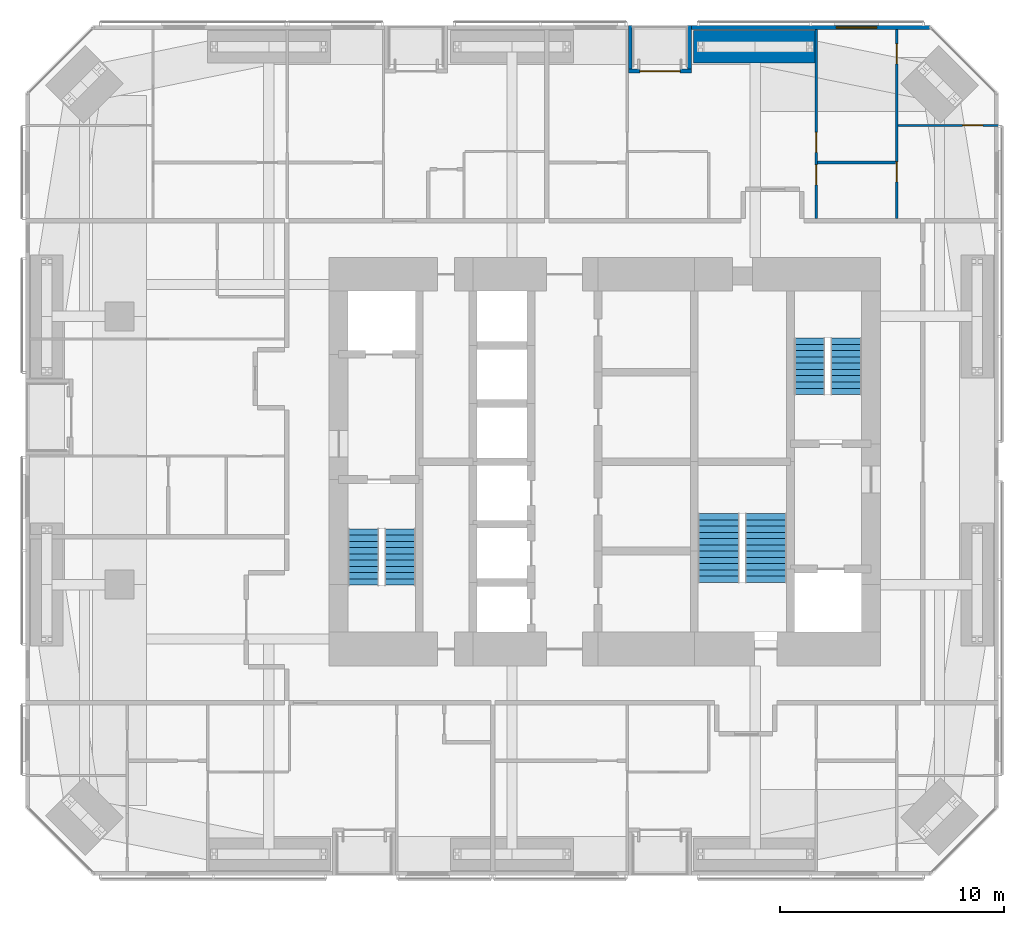
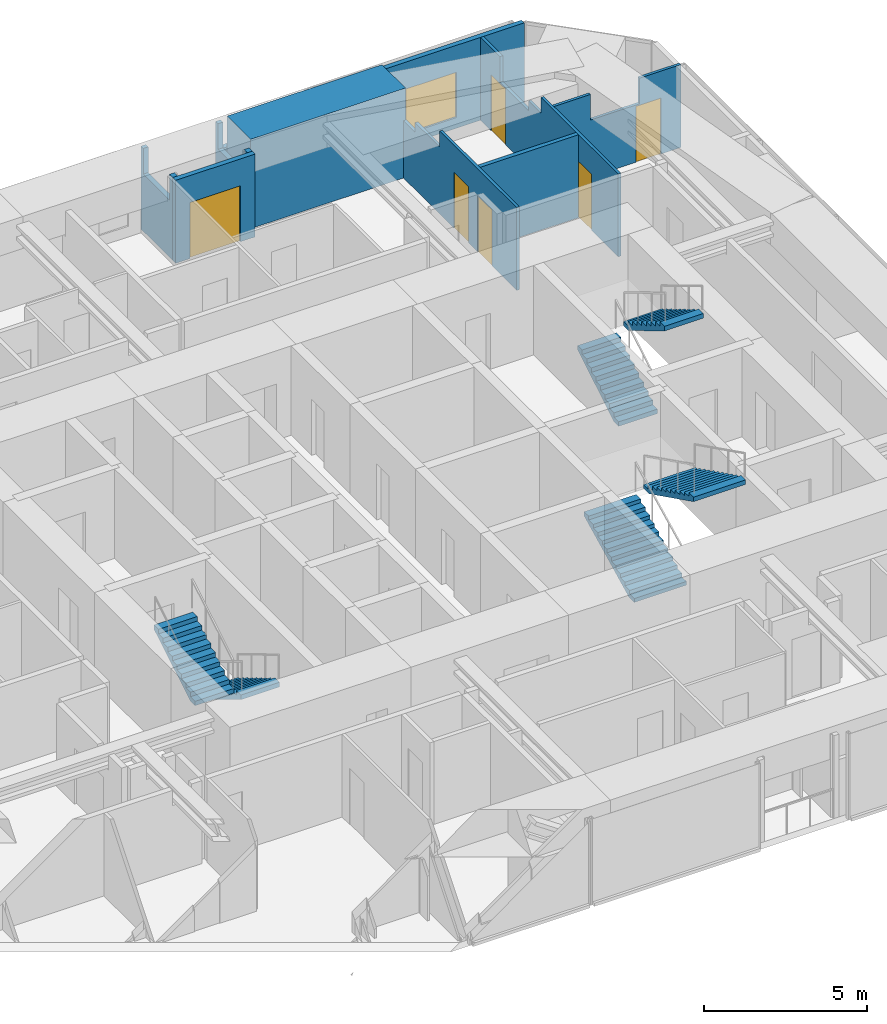
# One storey, part 23 of 24: 9 walls, 6 doors, 6 stair flights, 1 window, 7 openings, 3 elements without a shape of their own.
"""IFC4 building model written with IfcOpenShell, lengths in metres."""

import ifcopenshell
import ifcopenshell.guid

model = None  # the IFC model being written
_history = None  # IfcOwnerHistory: only IFC2X3 demands one
_inside = {}  # id of a spatial element -> (the spatial element, [elements in it])
_under = {}  # id of a project, library or spatial element -> (it, [spatial elements below it])
_declared = {}  # id of a project -> (the project, [libraries it declares])
_typed = {}  # id of a type object -> (the type object, [elements of that type])
_made_of = {}  # id of a material, layer set ... -> (it, [elements and type objects made of it])


def new_model(schema):
    """Start an empty IFC model of exactly this schema.

    Asked for "IFC4X3", IfcOpenShell would pick the latest addendum, in which some entities
    have other attributes; the version numbers below select the first issue.
    IFC2X3 requires an IfcOwnerHistory on every rooted entity: one is made here for all.
    """
    global model, _history
    if schema == "IFC4X3":
        model = ifcopenshell.file(schema_version=(4, 3, 0, 0))
    else:
        model = ifcopenshell.file(schema=schema)
    _inside.clear()
    _under.clear()
    _declared.clear()
    _typed.clear()
    _made_of.clear()
    _history = None
    if model.schema == "IFC2X3":
        org = make("IfcOrganization", Name="unknown")
        user = make(
            "IfcPersonAndOrganization",
            ThePerson=make("IfcPerson", FamilyName="unknown"),
            TheOrganization=org,
        )
        app = make(
            "IfcApplication",
            ApplicationDeveloper=org,
            Version="unknown",
            ApplicationFullName="unknown",
            ApplicationIdentifier="unknown",
        )
        _history = make(
            "IfcOwnerHistory",
            OwningUser=user,
            OwningApplication=app,
            ChangeAction="ADDED",
            CreationDate=0,
        )
    return model


def make(cls, **values):
    """One entity of the class cls with the attributes given. An attribute that is None is left unset."""
    return model.create_entity(
        cls, **{name: value for name, value in values.items() if value is not None}
    )


def rooted(cls, **values):
    """An entity with a GlobalId (a new one), such as an element, a storey or a relation."""
    return make(cls, GlobalId=ifcopenshell.guid.new(), OwnerHistory=_history, **values)


def si_unit(unit_type, name, prefix=None):
    """IfcSIUnit, for example si_unit("LENGTHUNIT", "METRE", prefix="MILLI")."""
    return make("IfcSIUnit", UnitType=unit_type, Prefix=prefix, Name=name)


def assignment(units):
    """IfcUnitAssignment: the units of a project."""
    return None if units is None else make("IfcUnitAssignment", Units=units)


def point(xyz):
    """IfcCartesianPoint."""
    return None if xyz is None else make("IfcCartesianPoint", Coordinates=xyz)


def direction(xyz):
    """IfcDirection."""
    return None if xyz is None else make("IfcDirection", DirectionRatios=xyz)


def frame(location, z_axis=None, x_axis=None):
    """IfcAxis2Placement3D, a coordinate frame: its origin and axes. An axis left out is left unset."""
    return make(
        "IfcAxis2Placement3D",
        Location=point(location),
        Axis=direction(z_axis),
        RefDirection=direction(x_axis),
    )


def frame_2d(location, x_axis=None):
    """IfcAxis2Placement2D, a coordinate frame in the plane: its origin and x axis."""
    return make(
        "IfcAxis2Placement2D", Location=point(location), RefDirection=direction(x_axis)
    )


def origin():
    """The frame at (0, 0, 0) with its axes left unset."""
    return frame((0.0, 0.0, 0.0))


def place(relative_to, where):
    """IfcLocalPlacement: puts the frame where relative to a parent placement (None: the world)."""
    return make(
        "IfcLocalPlacement", PlacementRelTo=relative_to, RelativePlacement=where
    )


def context(
    kind, dimensions, precision=None, world=None, true_north=None, identifier=None
):
    """IfcGeometricRepresentationContext, for example the 3D "Model" context."""
    return make(
        "IfcGeometricRepresentationContext",
        ContextIdentifier=identifier,
        ContextType=kind,
        CoordinateSpaceDimension=dimensions,
        Precision=precision,
        WorldCoordinateSystem=world,
        TrueNorth=true_north,
    )


def subcontext(parent, identifier, kind, view, scale=None):
    """IfcGeometricRepresentationSubContext, for example "Body" below "Model"."""
    return make(
        "IfcGeometricRepresentationSubContext",
        ContextIdentifier=identifier,
        ContextType=kind,
        ParentContext=parent,
        TargetScale=scale,
        TargetView=view,
    )


def project(units=None, contexts=None):
    """IfcProject with its units and contexts."""
    return rooted(
        "IfcProject",
        Name="project",
        RepresentationContexts=contexts,
        UnitsInContext=assignment(units),
    )


def spatial(cls, under=None, at=None, **own):
    """A site, building, storey or space (cls), placed at a placement, below another one or the project."""
    s = rooted(cls, ObjectPlacement=at, **own)
    if under is not None:
        _under.setdefault(under.id(), (under, []))[1].append(s)
    return s


def polyline(points):
    """IfcPolyline through the points."""
    return make("IfcPolyline", Points=[point(p) for p in points])


def profile(cls, at=None, kind="AREA", **sizes):
    """A parametric profile (cls). Its sizes go by their IFC names, for example OverallWidth=200.0."""
    return make(cls, ProfileType=kind, Position=at, **sizes)


def rectangle(**sizes):
    """IfcRectangleProfileDef."""
    return profile("IfcRectangleProfileDef", **sizes)


def outline(outer, holes=None, kind="AREA"):
    """IfcArbitraryClosedProfileDef: a profile drawn as a closed curve; with holes, ...WithVoids."""
    if holes is None:
        return make("IfcArbitraryClosedProfileDef", ProfileType=kind, OuterCurve=outer)
    return make(
        "IfcArbitraryProfileDefWithVoids",
        ProfileType=kind,
        OuterCurve=outer,
        InnerCurves=holes,
    )


def extrude(swept, where, along, depth):
    """IfcExtrudedAreaSolid: the profile swept, set in the frame where, extruded along a direction by depth."""
    return make(
        "IfcExtrudedAreaSolid",
        SweptArea=swept,
        Position=where,
        ExtrudedDirection=direction(along),
        Depth=depth,
    )


def shape(context_of_items, identifier, shape_type, items):
    """IfcShapeRepresentation: the items that make up one representation, for example the "Body"."""
    return make(
        "IfcShapeRepresentation",
        ContextOfItems=context_of_items,
        RepresentationIdentifier=identifier,
        RepresentationType=shape_type,
        Items=items,
    )


def material(Name=None, Category=None):
    """IfcMaterial."""
    return make("IfcMaterial", Name=Name, Category=Category)


def layer(
    of_material, thickness, ventilated=None, Name=None, Category=None, Priority=None
):
    """IfcMaterialLayer: one layer of a wall or slab, of a material (None: an air gap)."""
    return make(
        "IfcMaterialLayer",
        Material=of_material,
        LayerThickness=thickness,
        IsVentilated=ventilated,
        Name=Name,
        Category=Category,
        Priority=Priority,
    )


def layer_set(layers, Name=None):
    """IfcMaterialLayerSet."""
    return make("IfcMaterialLayerSet", MaterialLayers=layers, LayerSetName=Name)


def constituent(of_material, Name=None, Category=None, fraction=None):
    """IfcMaterialConstituent: one of the materials an element consists of."""
    return make(
        "IfcMaterialConstituent",
        Name=Name,
        Material=of_material,
        Fraction=fraction,
        Category=Category,
    )


def constituent_set(constituents=None, Name=None):
    """IfcMaterialConstituentSet."""
    return make(
        "IfcMaterialConstituentSet", Name=Name, MaterialConstituents=constituents
    )


def made_of(thing, what):
    """Note that an element or type object is made of a material, layer set ...; save() writes the relation."""
    if what is not None:
        _made_of.setdefault(what.id(), (what, []))[1].append(thing)
    return thing


def type_object(cls, material=None, **own):
    """A type object (cls), such as IfcWallType, which elements share."""
    return made_of(rooted(cls, **own), material)


def element(
    cls,
    number,
    at=None,
    inside=None,
    cuts=None,
    type_object=None,
    material=None,
    context=None,
    identifier="Body",
    shape_type=None,
    held_by="IfcProductDefinitionShape",
    body=None,
    shapes=None,
    **own,
):
    """One element of the class cls, such as IfcWall. Its Tag is "e" and its number.

    at: its placement. inside: the storey or other place that contains it. cuts: it is an
    opening in that element (IfcRelVoidsElement). A single representation is given by context,
    identifier, shape_type and body (its items); several are given by shapes. held_by: the class
    of the entity that holds the representations. save() writes the other relations.
    """
    e = rooted(cls, Tag="e%d" % number, ObjectPlacement=at, **own)
    if body is not None:
        shapes = [shape(context, identifier, shape_type, body)]
    if shapes is not None:
        e.Representation = make(held_by, Representations=shapes)
    if inside is not None:
        _inside.setdefault(inside.id(), (inside, []))[1].append(e)
    if cuts is not None:
        rooted(
            "IfcRelVoidsElement", RelatingBuildingElement=cuts, RelatedOpeningElement=e
        )
    if type_object is not None:
        _typed.setdefault(type_object.id(), (type_object, []))[1].append(e)
    return made_of(e, material)


def fill(opening, filler):
    """IfcRelFillsElement: the door or window that sits in an opening."""
    return rooted(
        "IfcRelFillsElement",
        RelatingOpeningElement=opening,
        RelatedBuildingElement=filler,
    )


def aggregate(whole, parts):
    """IfcRelAggregates: a whole, such as a stair, and the parts it consists of."""
    return rooted("IfcRelAggregates", RelatingObject=whole, RelatedObjects=parts)


def save(model, path):
    """Write the relations noted so far, then the file.

    IfcRelAggregates (storeys below a building ...), IfcRelContainedInSpatialStructure (elements
    in a storey), IfcRelDefinesByType, IfcRelAssociatesMaterial and IfcRelDeclares: one each for
    every whole, place, type object, material and project.
    """
    for whole, parts in _under.values():
        aggregate(whole, parts)
    for where, things in _inside.values():
        rooted(
            "IfcRelContainedInSpatialStructure",
            RelatedElements=things,
            RelatingStructure=where,
        )
    for kind, things in _typed.values():
        rooted("IfcRelDefinesByType", RelatedObjects=things, RelatingType=kind)
    for what, things in _made_of.values():
        rooted("IfcRelAssociatesMaterial", RelatedObjects=things, RelatingMaterial=what)
    for by, libraries in _declared.values():
        rooted("IfcRelDeclares", RelatingContext=by, RelatedDefinitions=libraries)
    model.write(path)


model = new_model("IFC4")

# Units and contexts
model_context = context("Model", 3, precision=1e-05, world=origin(), true_north=direction((0.0, 1.0)))
body_context = subcontext(model_context, "Body", "Model", "MODEL_VIEW")
ifc_project = project(units=[si_unit("LENGTHUNIT", "METRE"), si_unit("AREAUNIT", "SQUARE_METRE"), si_unit("VOLUMEUNIT", "CUBIC_METRE"), si_unit("PLANEANGLEUNIT", "RADIAN"), si_unit("MASSUNIT", "GRAM", prefix="KILO")], contexts=[model_context])

# Site, building, storey
site_placement = place(None, origin())
site = spatial("IfcSite", under=ifc_project, at=site_placement, CompositionType="ELEMENT")
building_placement = place(site_placement, origin())
building = spatial("IfcBuilding", under=site, at=building_placement, Name="Jalousie Tower", CompositionType="ELEMENT")
storey_placement = place(building_placement, frame((0.0, 0.0, 128.300048828125)))
storey = spatial("IfcBuildingStorey", under=building, at=storey_placement, Name="L35", CompositionType="ELEMENT", Elevation=128.300048828125)

# Wall
ifc_material_1 = material(Name="Concrete block ASTM C90", Category="concrete")
ifc_constituent_1 = constituent(ifc_material_1, Name="Body")
ifc_material_2 = material(Name="Render")
ifc_constituent_2 = constituent(ifc_material_2, Name="Finish")
ifc_constituent_set_1 = constituent_set(constituents=[ifc_constituent_1, ifc_constituent_2])
wall_type_1 = type_object("IfcWallType", Name="BATHROOM WALL 150", PredefinedType="PLUMBINGWALL", material=ifc_constituent_set_1)
wall_1_placement = place(storey_placement, frame((41.39990234375, 31.875, 0.0), z_axis=(0.0, 0.0, 1.0), x_axis=(1.0, 0.0, 0.0)))
element("IfcWall", 1, at=wall_1_placement, inside=storey, type_object=wall_type_1, Name="Bathroom Wall 150 L35", PredefinedType="PLUMBINGWALL", context=body_context, shape_type="SweptSolid", body=[
    extrude(rectangle(XDim=3.5, YDim=0.14990234375, at=frame_2d((1.75, 0.0))), origin(), (0.0, 0.0, 1.0), 3.10986328125),
])

# Wall, opening, window
ifc_material_3 = material(Name="Concrete f'c 40 MPa", Category="concrete")
ifc_constituent_3 = constituent(ifc_material_3, Name="Body")
ifc_material_4 = material(Name="Render, pastel sea green")
ifc_constituent_4 = constituent(ifc_material_4, Name="Finish")
ifc_constituent_set_2 = constituent_set(constituents=[ifc_constituent_3, ifc_constituent_4])
wall_type_2 = type_object("IfcWallType", Name="EXTERNAL WALL 175 SEA GREEN RENDER", PredefinedType="SOLIDWALL", material=ifc_constituent_set_2)
wall_2_placement = place(storey_placement, frame((46.44873046875, 37.91259765625, 0.0), z_axis=(0.0, 0.0, 1.0), x_axis=(-1.0, 0.0, 0.0)))
wall_2 = element("IfcWall", 2, at=wall_2_placement, inside=storey, type_object=wall_type_2, Name="External Wall 175 Sea Green Render L35", PredefinedType="SOLIDWALL", context=body_context, shape_type="SweptSolid", body=[
    extrude(outline(polyline([(0.0, 0.0), (10.673828125, 0.0), (10.673583984375, 2.14990234375), (7.82373046875, 2.14990234375), (7.82373046875, 3.10986328125), (7.66552734375, 3.10986328125), (7.66552734375, 2.14990234375), (7.620361328125, 2.14990234375), (7.620361328125, 3.10986328125), (0.0, 3.10986328125), (0.0, 0.0)])), frame((0.0, 0.08740234375, 0.0), z_axis=(0.0, -1.0, 0.0), x_axis=(1.0, 0.0, 0.0)), (0.0, 0.0, 1.0), 0.175048828125),
])
opening_1_placement = place(wall_2_placement, frame((2.398681640625, 0.0, 0.39990234375)))
opening_1 = element("IfcOpeningElement", 3, at=opening_1_placement, cuts=wall_2, Name="Opening W-BED170", PredefinedType="OPENING", context=body_context, shape_type="SweptSolid", body=[
    extrude(rectangle(XDim=1.800048828125, YDim=1.699951171875, at=frame_2d((0.89990234375, 0.85009765625))), frame((0.0, 0.097412109375, 0.0), z_axis=(0.0, -1.0, 0.0), x_axis=(1.0, 0.0, 0.0)), (0.0, 0.0, 1.0), 0.195068359375),
])
ifc_material_5 = material(Name="Aluminium frame, impact-rated glazing", Category="aluminium")
window_type = type_object("IfcWindowType", Name="WINDOW BED 1800x1700", PartitioningType="SINGLE_PANEL", PredefinedType="WINDOW", material=ifc_material_5)
window_placement = place(opening_1_placement, origin())
window = element("IfcWindow", 4, at=window_placement, inside=storey, type_object=window_type, Name="Apartment 3504 bedroom 2 window", OverallHeight=1.699951171875, OverallWidth=1.800048828125, PartitioningType="SINGLE_PANEL", PredefinedType="WINDOW", context=body_context, shape_type="SweptSolid", body=[
    extrude(rectangle(XDim=1.800048828125, YDim=1.699951171875, at=frame_2d((0.89990234375, 0.85009765625))), frame((0.0, 0.030029296875, 0.0), z_axis=(0.0, -1.0, 0.0), x_axis=(1.0, 0.0, 0.0)), (0.0, 0.0, 1.0), 0.06005859375),
])
fill(opening_1, window)

# Wall, opening, door
wall_3_placement = place(storey_placement, frame((35.77490234375, 35.96240234375, 0.0), z_axis=(0.0, 0.0, 1.0), x_axis=(-1.0, 0.0, 0.0)))
wall_3 = element("IfcWall", 5, at=wall_3_placement, inside=storey, type_object=wall_type_2, Name="External Wall 175 Sea Green Render L35", PredefinedType="SOLIDWALL", context=body_context, shape_type="SweptSolid", body=[
    extrude(rectangle(XDim=2.824951171875, YDim=0.175048828125, at=frame_2d((1.41259765625, 0.0))), origin(), (0.0, 0.0, 1.0), 3.10986328125),
])
opening_2_placement = place(wall_3_placement, frame((0.512451171875, 0.0, 0.0)))
opening_2 = element("IfcOpeningElement", 6, at=opening_2_placement, cuts=wall_3, Name="Opening D-BAL21", PredefinedType="OPENING", context=body_context, shape_type="SweptSolid", body=[
    extrude(rectangle(XDim=1.800048828125, YDim=2.10009765625, at=frame_2d((0.89990234375, 1.050048828125))), frame((0.0, 0.097412109375, 0.0), z_axis=(0.0, -1.0, 0.0), x_axis=(1.0, 0.0, 0.0)), (0.0, 0.0, 1.0), 0.195068359375),
])
ifc_material_6 = material(Name="Aluminium frame, impact-rated glazing", Category="aluminium")
door_type_1 = type_object("IfcDoorType", Name="BALCONY DOOR 1800x2100", OperationType="SLIDING_TO_LEFT", PredefinedType="DOOR", material=ifc_material_6)
door_1_placement = place(opening_2_placement, origin())
door_1 = element("IfcDoor", 7, at=door_1_placement, inside=storey, type_object=door_type_1, Name="Apartment 3504 living and dining room loggia door", OperationType="SLIDING_TO_LEFT", OverallHeight=2.10009765625, OverallWidth=1.800048828125, PredefinedType="DOOR", context=body_context, shape_type="SweptSolid", body=[
    extrude(rectangle(XDim=1.800048828125, YDim=2.10009765625, at=frame_2d((0.89990234375, 1.050048828125))), frame((0.0, 0.02490234375, 0.0), z_axis=(0.0, -1.0, 0.0), x_axis=(1.0, 0.0, 0.0)), (0.0, 0.0, 1.0), 0.050048828125),
])
fill(opening_2, door_1)

# Walls
for number, where, z_axis, x_axis, name in (
    (8, (35.6875, 38.0, 0.0), (0.0, 0.0, 1.0), (0.0, -1.0, 0.0), "External Wall 175 Sea Green Render L35"),
    (9, (33.03759765625, 38.0, 0.0), (0.0, 0.0, 1.0), (0.0, -1.0, 0.0), "External Wall 175 Sea Green Render L35"),
):
    element("IfcWall", number, at=place(storey_placement, frame(where, z_axis=z_axis, x_axis=x_axis)), inside=storey, type_object=wall_type_2, Name=name, PredefinedType="SOLIDWALL", context=body_context, shape_type="SweptSolid", body=[
        extrude(outline(polyline([(0.0, 0.0), (1.949951171875, 0.0), (1.949951171875, 3.10986328125), (1.75, 3.10986328125), (1.75, 2.14990234375), (0.14990234375, 2.14990234375), (0.14990234375, 3.10986328125), (0.0, 3.10986328125), (0.0, 0.0)])), frame((0.0, 0.08740234375, 0.0), z_axis=(0.0, -1.0, 0.0), x_axis=(1.0, 0.0, 0.0)), (0.0, 0.0, 1.0), 0.175048828125),
    ])

# Wall, openings, doors
ifc_material_7 = material(Name="Gypsum board", Category="gypsum")
ifc_constituent_5 = constituent(ifc_material_7, Name="Body")
ifc_material_8 = material(Name="Light-gauge steel studs ASTM A653 SS Grade 33", Category="steel")
ifc_constituent_6 = constituent(ifc_material_8, Name="Framing")
ifc_constituent_set_3 = constituent_set(constituents=[ifc_constituent_5, ifc_constituent_6])
wall_type_3 = type_object("IfcWallType", Name="PARTITION 100", PredefinedType="PARTITIONING", material=ifc_constituent_set_3)
wall_4_placement = place(storey_placement, frame((41.35009765625, 37.824951171875, 0.0), z_axis=(0.0, 0.0, 1.0), x_axis=(0.0, -1.0, 0.0)))
wall_4 = element("IfcWall", 10, at=wall_4_placement, inside=storey, type_object=wall_type_3, Name="Partition 100 L35", PredefinedType="PARTITIONING", context=body_context, shape_type="SweptSolid", body=[
    extrude(outline(polyline([(0.0, 0.0), (8.449951171875, 0.0), (8.449951171875, 3.10986328125), (3.71630859375, 3.10986328125), (3.71630859375, 2.510009765625), (2.20849609375, 2.510009765625), (2.20849609375, 2.14990234375), (0.453125, 2.14990234375), (0.453125, 3.10986328125), (0.0, 3.10986328125), (0.0, 0.0)])), frame((0.0, 0.050048828125, 0.0), z_axis=(0.0, -1.0, 0.0), x_axis=(1.0, 0.0, 0.0)), (0.0, 0.0, 1.0), 0.10009765625),
])
opening_3_placement = place(wall_4_placement, frame((4.60009765625, 0.0, 0.0)))
opening_3 = element("IfcOpeningElement", 11, at=opening_3_placement, cuts=wall_4, Name="Opening D2", PredefinedType="OPENING", context=body_context, shape_type="SweptSolid", body=[
    extrude(rectangle(XDim=0.89990234375, YDim=2.10009765625, at=frame_2d((0.449951171875, 1.050048828125))), frame((0.0, 0.06005859375, 0.0), z_axis=(0.0, -1.0, 0.0), x_axis=(1.0, 0.0, 0.0)), (0.0, 0.0, 1.0), 0.1201171875),
])
opening_4_placement = place(wall_4_placement, frame((6.050048828125, 0.0, 0.0)))
opening_4 = element("IfcOpeningElement", 12, at=opening_4_placement, cuts=wall_4, Name="Opening D7", PredefinedType="OPENING", context=body_context, shape_type="SweptSolid", body=[
    extrude(rectangle(XDim=0.89990234375, YDim=2.10009765625, at=frame_2d((0.449951171875, 1.050048828125))), frame((0.0, 0.06005859375, 0.0), z_axis=(0.0, -1.0, 0.0), x_axis=(1.0, 0.0, 0.0)), (0.0, 0.0, 1.0), 0.1201171875),
])
ifc_material_9 = material(Name="Timber door", Category="wood")
door_type_2 = type_object("IfcDoorType", Name="BEDROOM DOOR 900", OperationType="SINGLE_SWING_LEFT", PredefinedType="DOOR", material=ifc_material_9)
door_2_placement = place(opening_3_placement, origin())
door_2 = element("IfcDoor", 13, at=door_2_placement, inside=storey, type_object=door_type_2, Name="Apartment 3504 bedroom 2 door", OperationType="SINGLE_SWING_RIGHT", OverallHeight=2.10009765625, OverallWidth=0.89990234375, PredefinedType="DOOR", context=body_context, shape_type="SweptSolid", body=[
    extrude(rectangle(XDim=0.89990234375, YDim=2.10009765625, at=frame_2d((0.449951171875, 1.050048828125))), frame((0.0, 0.02490234375, 0.0), z_axis=(0.0, -1.0, 0.0), x_axis=(1.0, 0.0, 0.0)), (0.0, 0.0, 1.0), 0.050048828125),
])
fill(opening_3, door_2)
ifc_material_10 = material(Name="Timber door", Category="wood")
door_type_3 = type_object("IfcDoorType", Name="INTERNAL DOOR 900", OperationType="SINGLE_SWING_LEFT", PredefinedType="DOOR", material=ifc_material_10)
door_3_placement = place(opening_4_placement, origin())
door_3 = element("IfcDoor", 14, at=door_3_placement, inside=storey, type_object=door_type_3, Name="Apartment 3504 bathroom door", OperationType="SINGLE_SWING_LEFT", OverallHeight=2.10009765625, OverallWidth=0.89990234375, PredefinedType="DOOR", context=body_context, shape_type="SweptSolid", body=[
    extrude(rectangle(XDim=0.89990234375, YDim=2.10009765625, at=frame_2d((0.449951171875, 1.050048828125))), frame((0.0, 0.02490234375, 0.0), z_axis=(0.0, -1.0, 0.0), x_axis=(1.0, 0.0, 0.0)), (0.0, 0.0, 1.0), 0.050048828125),
])
fill(opening_4, door_3)

wall_5_placement = place(storey_placement, frame((44.949951171875, 37.824951171875, 0.0), z_axis=(0.0, 0.0, 1.0), x_axis=(0.0, -1.0, 0.0)))
wall_5 = element("IfcWall", 15, at=wall_5_placement, inside=storey, type_object=wall_type_3, Name="Partition 100 L35", PredefinedType="PARTITIONING", context=body_context, shape_type="SweptSolid", body=[
    extrude(outline(polyline([(0.0, 0.0), (8.449951171875, 0.0), (8.449951171875, 3.10986328125), (3.71630859375, 3.10986328125), (3.71630859375, 2.510009765625), (2.94287109375, 2.510009765625), (2.94287109375, 2.14990234375), (1.1875, 2.14990234375), (1.1875, 3.10986328125), (0.0, 3.10986328125), (0.0, 0.0)])), frame((0.0, 0.050048828125, 0.0), z_axis=(0.0, -1.0, 0.0), x_axis=(1.0, 0.0, 0.0)), (0.0, 0.0, 1.0), 0.10009765625),
])
opening_5_placement = place(wall_5_placement, frame((0.638916015625, 0.0, 0.0)))
opening_5 = element("IfcOpeningElement", 16, at=opening_5_placement, cuts=wall_5, Name="Opening D2", PredefinedType="OPENING", context=body_context, shape_type="SweptSolid", body=[
    extrude(rectangle(XDim=0.89990234375, YDim=2.10009765625, at=frame_2d((0.449951171875, 1.050048828125))), frame((0.0, 0.06005859375, 0.0), z_axis=(0.0, -1.0, 0.0), x_axis=(1.0, 0.0, 0.0)), (0.0, 0.0, 1.0), 0.1201171875),
])
opening_6_placement = place(wall_5_placement, frame((5.91943359375, 0.0, 0.0)))
opening_6 = element("IfcOpeningElement", 17, at=opening_6_placement, cuts=wall_5, Name="Opening D3", PredefinedType="OPENING", context=body_context, shape_type="SweptSolid", body=[
    extrude(rectangle(XDim=0.89990234375, YDim=2.10009765625, at=frame_2d((0.449951171875, 1.050048828125))), frame((0.0, 0.06005859375, 0.0), z_axis=(0.0, -1.0, 0.0), x_axis=(1.0, 0.0, 0.0)), (0.0, 0.0, 1.0), 0.1201171875),
])
ifc_material_11 = material(Name="Timber door", Category="wood")
door_type_4 = type_object("IfcDoorType", Name="BATHROOM DOOR 900", OperationType="SINGLE_SWING_LEFT", PredefinedType="DOOR", material=ifc_material_11)
door_4_placement = place(opening_6_placement, frame((0.89990234375, 0.0, 0.0), z_axis=(0.0, 0.0, 1.0), x_axis=(-1.0, 0.0, 0.0)))
door_4 = element("IfcDoor", 18, at=door_4_placement, inside=storey, type_object=door_type_4, Name="Apartment 3504 bedroom 3 bathroom door", OperationType="SINGLE_SWING_LEFT", OverallHeight=2.10009765625, OverallWidth=0.89990234375, PredefinedType="DOOR", context=body_context, shape_type="SweptSolid", body=[
    extrude(rectangle(XDim=0.89990234375, YDim=2.10009765625, at=frame_2d((0.449951171875, 1.050048828125))), frame((0.0, 0.02490234375, 0.0), z_axis=(0.0, -1.0, 0.0), x_axis=(1.0, 0.0, 0.0)), (0.0, 0.0, 1.0), 0.050048828125),
])
fill(opening_6, door_4)
door_5_placement = place(opening_5_placement, frame((0.89990234375, 0.0, 0.0), z_axis=(0.0, 0.0, 1.0), x_axis=(-1.0, 0.0, 0.0)))
door_5 = element("IfcDoor", 19, at=door_5_placement, inside=storey, type_object=door_type_2, Name="Apartment 3504 bedroom 3 door", OperationType="SINGLE_SWING_RIGHT", OverallHeight=2.10009765625, OverallWidth=0.89990234375, PredefinedType="DOOR", context=body_context, shape_type="SweptSolid", body=[
    extrude(rectangle(XDim=0.89990234375, YDim=2.10009765625, at=frame_2d((0.449951171875, 1.050048828125))), frame((0.0, 0.02490234375, 0.0), z_axis=(0.0, -1.0, 0.0), x_axis=(1.0, 0.0, 0.0)), (0.0, 0.0, 1.0), 0.050048828125),
])
fill(opening_5, door_5)

# Wall, opening, door
wall_6_placement = place(storey_placement, frame((45.0, 33.5361328125, 0.0), z_axis=(0.0, 0.0, 1.0), x_axis=(1.0, 0.0, 0.0)))
wall_6 = element("IfcWall", 20, at=wall_6_placement, inside=storey, type_object=wall_type_3, Name="Partition 100 L35", PredefinedType="PARTITIONING", context=body_context, shape_type="SweptSolid", body=[
    extrude(outline(polyline([(0.0, 0.0), (4.5, 0.0), (4.5, 3.10986328125), (3.037109375, 3.10986328125), (3.037109375, 2.14990234375), (1.29443359375, 2.14990234375), (1.29443359375, 3.10986328125), (0.0, 3.10986328125), (0.0, 0.0)])), frame((0.0, 0.050048828125, 0.0), z_axis=(0.0, -1.0, 0.0), x_axis=(1.0, 0.0, 0.0)), (0.0, 0.0, 1.0), 0.10009765625),
])
opening_7_placement = place(wall_6_placement, frame((2.89990234375, 0.0, 0.0)))
opening_7 = element("IfcOpeningElement", 21, at=opening_7_placement, cuts=wall_6, Name="Opening D7", PredefinedType="OPENING", context=body_context, shape_type="SweptSolid", body=[
    extrude(rectangle(XDim=0.89990234375, YDim=2.10009765625, at=frame_2d((0.449951171875, 1.050048828125))), frame((0.0, 0.06005859375, 0.0), z_axis=(0.0, -1.0, 0.0), x_axis=(1.0, 0.0, 0.0)), (0.0, 0.0, 1.0), 0.1201171875),
])
door_6_placement = place(opening_7_placement, frame((0.89990234375, 0.0, 0.0), z_axis=(0.0, 0.0, 1.0), x_axis=(-1.0, 0.0, 0.0)))
door_6 = element("IfcDoor", 22, at=door_6_placement, inside=storey, type_object=door_type_3, Name="Apartment 3504 bedroom 3 dressing hall door", OperationType="SINGLE_SWING_LEFT", OverallHeight=2.10009765625, OverallWidth=0.89990234375, PredefinedType="DOOR", context=body_context, shape_type="SweptSolid", body=[
    extrude(rectangle(XDim=0.89990234375, YDim=2.10009765625, at=frame_2d((0.449951171875, 1.050048828125))), frame((0.0, 0.02490234375, 0.0), z_axis=(0.0, -1.0, 0.0), x_axis=(1.0, 0.0, 0.0)), (0.0, 0.0, 1.0), 0.050048828125),
])
fill(opening_7, door_6)

# Wall
ifc_material_12 = material(Name="Concrete f'c 120 MPa", Category="concrete")
ifc_layer = layer(ifc_material_12, 1.449951171875)
ifc_layer_set = layer_set([ifc_layer], Name="Concrete f'c 120 MPa")
wall_type_4 = type_object("IfcWallType", Name="RC WALL PIER 1450", PredefinedType="SHEAR", material=ifc_layer_set)
wall_7_placement = place(storey_placement, frame((35.875, 37.050048828125, 0.0), z_axis=(0.0, 0.0, 1.0), x_axis=(1.0, 0.0, 0.0)))
element("IfcWall", 23, at=wall_7_placement, inside=storey, type_object=wall_type_4, Name="Wall pier 09 L35", PredefinedType="SHEAR", context=body_context, shape_type="SweptSolid", body=[
    extrude(rectangle(XDim=5.5, YDim=1.449951171875, at=frame_2d((2.75, 0.0))), origin(), (0.0, 0.0, 1.0), 3.349853515625),
])

# Stair, stair flights
ifc_material_13 = material(Name="Concrete f'c 40 MPa", Category="concrete")
stair_type = type_object("IfcStairType", Name="EXIT STAIR", PredefinedType="HALF_TURN_STAIR", material=ifc_material_13)
stair_1_placement = place(storey_placement, origin())
stair_1 = element("IfcStair", 24, at=stair_1_placement, inside=storey, type_object=stair_type, Name="Exit stair A L35", PredefinedType="HALF_TURN_STAIR")
ifc_material_14 = material(Name="Concrete f'c 40 MPa", Category="concrete")
stair_flight_type = type_object("IfcStairFlightType", Name="STAIR FLIGHT", PredefinedType="STRAIGHT", material=ifc_material_14)
stair_flight_1_placement = place(storey_placement, frame((22.737548828125, 15.49755859375, 0.0), z_axis=(0.0, 0.0, 1.0), x_axis=(0.0, -1.0, 0.0)))
stair_flight_1 = element("IfcStairFlight", 25, at=stair_flight_1_placement, type_object=stair_flight_type, Name="ST-A flight 1", NumberOfRisers=10, NumberOfTreads=9, PredefinedType="STRAIGHT", RiserHeight=0.1675, TreadLength=0.28, context=body_context, shape_type="SweptSolid", body=[
    extrude(outline(polyline([(0.0, 0.0), (0.0, 0.16748046875), (0.280029296875, 0.16748046875), (0.280029296875, 0.3349609375), (0.56005859375, 0.3349609375), (0.56005859375, 0.50244140625), (0.840087890625, 0.50244140625), (0.840087890625, 0.669921875), (1.1201171875, 0.669921875), (1.1201171875, 0.83740234375), (1.39990234375, 0.83740234375), (1.39990234375, 1.0048828125), (1.679931640625, 1.0048828125), (1.679931640625, 1.172607421875), (1.9599609375, 1.172607421875), (1.9599609375, 1.340087890625), (2.239990234375, 1.340087890625), (2.239990234375, 1.507568359375), (2.52001953125, 1.507568359375), (2.52001953125, 1.675048828125), (2.52001953125, 1.332763671875), (0.2919921875, 0.0), (0.0, 0.0)])), frame((0.0, 0.6875, 0.0), z_axis=(0.0, -1.0, 0.0), x_axis=(1.0, 0.0, 0.0)), (0.0, 0.0, 1.0), 1.375),
])
stair_flight_2_placement = place(storey_placement, frame((21.112548828125, 12.9775390625, 1.675048828125), z_axis=(0.0, 0.0, 1.0), x_axis=(0.0, 1.0, 0.0)))
stair_flight_2 = element("IfcStairFlight", 26, at=stair_flight_2_placement, type_object=stair_flight_type, Name="ST-A flight 2", NumberOfRisers=10, NumberOfTreads=9, PredefinedType="STRAIGHT", RiserHeight=0.1675, TreadLength=0.28, context=body_context, shape_type="SweptSolid", body=[
    extrude(outline(polyline([(0.0, 0.0), (0.0, 0.16748046875), (0.280029296875, 0.16748046875), (0.280029296875, 0.3349609375), (0.56005859375, 0.3349609375), (0.56005859375, 0.50244140625), (0.840087890625, 0.50244140625), (0.840087890625, 0.669921875), (1.1201171875, 0.669921875), (1.1201171875, 0.83740234375), (1.39990234375, 0.83740234375), (1.39990234375, 1.0048828125), (1.679931640625, 1.0048828125), (1.679931640625, 1.172607421875), (1.9599609375, 1.172607421875), (1.9599609375, 1.340087890625), (2.239990234375, 1.340087890625), (2.239990234375, 1.507568359375), (2.52001953125, 1.507568359375), (2.52001953125, 1.675048828125), (2.52001953125, 1.332763671875), (0.2919921875, 0.0), (0.0, 0.0)])), frame((0.0, 0.6875, 0.0), z_axis=(0.0, -1.0, 0.0), x_axis=(1.0, 0.0, 0.0)), (0.0, 0.0, 1.0), 1.375),
])
aggregate(stair_1, [stair_flight_1, stair_flight_2])

stair_2_placement = place(storey_placement, origin())
stair_2 = element("IfcStair", 27, at=stair_2_placement, inside=storey, type_object=stair_type, Name="Exit stair B L35", PredefinedType="HALF_TURN_STAIR")
stair_flight_3_placement = place(storey_placement, frame((41.0625, 21.50244140625, 0.0), z_axis=(0.0, 0.0, 1.0), x_axis=(0.0, 1.0, 0.0)))
stair_flight_3 = element("IfcStairFlight", 28, at=stair_flight_3_placement, type_object=stair_flight_type, Name="ST-B flight 1", NumberOfRisers=10, NumberOfTreads=9, PredefinedType="STRAIGHT", RiserHeight=0.1675, TreadLength=0.28, context=body_context, shape_type="SweptSolid", body=[
    extrude(outline(polyline([(0.0, 0.0), (0.0, 0.16748046875), (0.280029296875, 0.16748046875), (0.280029296875, 0.3349609375), (0.56005859375, 0.3349609375), (0.56005859375, 0.50244140625), (0.840087890625, 0.50244140625), (0.840087890625, 0.669921875), (1.1201171875, 0.669921875), (1.1201171875, 0.83740234375), (1.39990234375, 0.83740234375), (1.39990234375, 1.0048828125), (1.679931640625, 1.0048828125), (1.679931640625, 1.172607421875), (1.9599609375, 1.172607421875), (1.9599609375, 1.340087890625), (2.239990234375, 1.340087890625), (2.239990234375, 1.507568359375), (2.52001953125, 1.507568359375), (2.52001953125, 1.675048828125), (2.52001953125, 1.332763671875), (0.2919921875, 0.0), (0.0, 0.0)])), frame((0.0, 0.6875, 0.0), z_axis=(0.0, -1.0, 0.0), x_axis=(1.0, 0.0, 0.0)), (0.0, 0.0, 1.0), 1.375),
])
stair_flight_4_placement = place(storey_placement, frame((42.6875, 24.0224609375, 1.675048828125), z_axis=(0.0, 0.0, 1.0), x_axis=(0.0, -1.0, 0.0)))
stair_flight_4 = element("IfcStairFlight", 29, at=stair_flight_4_placement, type_object=stair_flight_type, Name="ST-B flight 2", NumberOfRisers=10, NumberOfTreads=9, PredefinedType="STRAIGHT", RiserHeight=0.1675, TreadLength=0.28, context=body_context, shape_type="SweptSolid", body=[
    extrude(outline(polyline([(0.0, 0.0), (0.0, 0.16748046875), (0.280029296875, 0.16748046875), (0.280029296875, 0.3349609375), (0.56005859375, 0.3349609375), (0.56005859375, 0.50244140625), (0.840087890625, 0.50244140625), (0.840087890625, 0.669921875), (1.1201171875, 0.669921875), (1.1201171875, 0.83740234375), (1.39990234375, 0.83740234375), (1.39990234375, 1.0048828125), (1.679931640625, 1.0048828125), (1.679931640625, 1.172607421875), (1.9599609375, 1.172607421875), (1.9599609375, 1.340087890625), (2.239990234375, 1.340087890625), (2.239990234375, 1.507568359375), (2.52001953125, 1.507568359375), (2.52001953125, 1.675048828125), (2.52001953125, 1.332763671875), (0.2919921875, 0.0), (0.0, 0.0)])), frame((0.0, 0.6875, 0.0), z_axis=(0.0, -1.0, 0.0), x_axis=(1.0, 0.0, 0.0)), (0.0, 0.0, 1.0), 1.375),
])
aggregate(stair_2, [stair_flight_3, stair_flight_4])

stair_3_placement = place(storey_placement, origin())
stair_3 = element("IfcStair", 30, at=stair_3_placement, inside=storey, type_object=stair_type, Name="Exit stair C L35", PredefinedType="HALF_TURN_STAIR")
stair_flight_5_placement = place(storey_placement, frame((37.0, 13.097412109375, 0.0), z_axis=(0.0, 0.0, 1.0), x_axis=(0.0, 1.0, 0.0)))
stair_flight_5 = element("IfcStairFlight", 31, at=stair_flight_5_placement, type_object=stair_flight_type, Name="ST-C flight 1", NumberOfRisers=12, NumberOfTreads=11, PredefinedType="STRAIGHT", RiserHeight=0.139583333, TreadLength=0.28, context=body_context, shape_type="SweptSolid", body=[
    extrude(outline(polyline([(0.0, 0.0), (0.0, 0.1396484375), (0.280029296875, 0.1396484375), (0.280029296875, 0.279052734375), (0.56005859375, 0.279052734375), (0.56005859375, 0.418701171875), (0.840087890625, 0.418701171875), (0.840087890625, 0.558349609375), (1.1201171875, 0.558349609375), (1.1201171875, 0.697998046875), (1.39990234375, 0.697998046875), (1.39990234375, 0.83740234375), (1.679931640625, 0.83740234375), (1.679931640625, 0.97705078125), (1.9599609375, 0.97705078125), (1.9599609375, 1.11669921875), (2.239990234375, 1.11669921875), (2.239990234375, 1.25634765625), (2.52001953125, 1.25634765625), (2.52001953125, 1.395751953125), (2.800048828125, 1.395751953125), (2.800048828125, 1.535400390625), (3.080078125, 1.535400390625), (3.080078125, 1.675048828125), (3.080078125, 1.367919921875), (0.3359375, 0.0), (0.0, 0.0)])), frame((0.0, 0.925048828125, 0.0), z_axis=(0.0, -1.0, 0.0), x_axis=(1.0, 0.0, 0.0)), (0.0, 0.0, 1.0), 1.85009765625),
])
stair_flight_6_placement = place(storey_placement, frame((39.10009765625, 16.177490234375, 1.675048828125), z_axis=(0.0, 0.0, 1.0), x_axis=(0.0, -1.0, 0.0)))
stair_flight_6 = element("IfcStairFlight", 32, at=stair_flight_6_placement, type_object=stair_flight_type, Name="ST-C flight 2", NumberOfRisers=12, NumberOfTreads=11, PredefinedType="STRAIGHT", RiserHeight=0.139583333, TreadLength=0.28, context=body_context, shape_type="SweptSolid", body=[
    extrude(outline(polyline([(0.0, 0.0), (0.0, 0.1396484375), (0.280029296875, 0.1396484375), (0.280029296875, 0.279052734375), (0.56005859375, 0.279052734375), (0.56005859375, 0.418701171875), (0.840087890625, 0.418701171875), (0.840087890625, 0.558349609375), (1.1201171875, 0.558349609375), (1.1201171875, 0.697998046875), (1.39990234375, 0.697998046875), (1.39990234375, 0.83740234375), (1.679931640625, 0.83740234375), (1.679931640625, 0.97705078125), (1.9599609375, 0.97705078125), (1.9599609375, 1.11669921875), (2.239990234375, 1.11669921875), (2.239990234375, 1.25634765625), (2.52001953125, 1.25634765625), (2.52001953125, 1.395751953125), (2.800048828125, 1.395751953125), (2.800048828125, 1.535400390625), (3.080078125, 1.535400390625), (3.080078125, 1.675048828125), (3.080078125, 1.367919921875), (0.3359375, 0.0), (0.0, 0.0)])), frame((0.0, 0.925048828125, 0.0), z_axis=(0.0, -1.0, 0.0), x_axis=(1.0, 0.0, 0.0)), (0.0, 0.0, 1.0), 1.85009765625),
])
aggregate(stair_3, [stair_flight_5, stair_flight_6])

save(model, "model.ifc")
